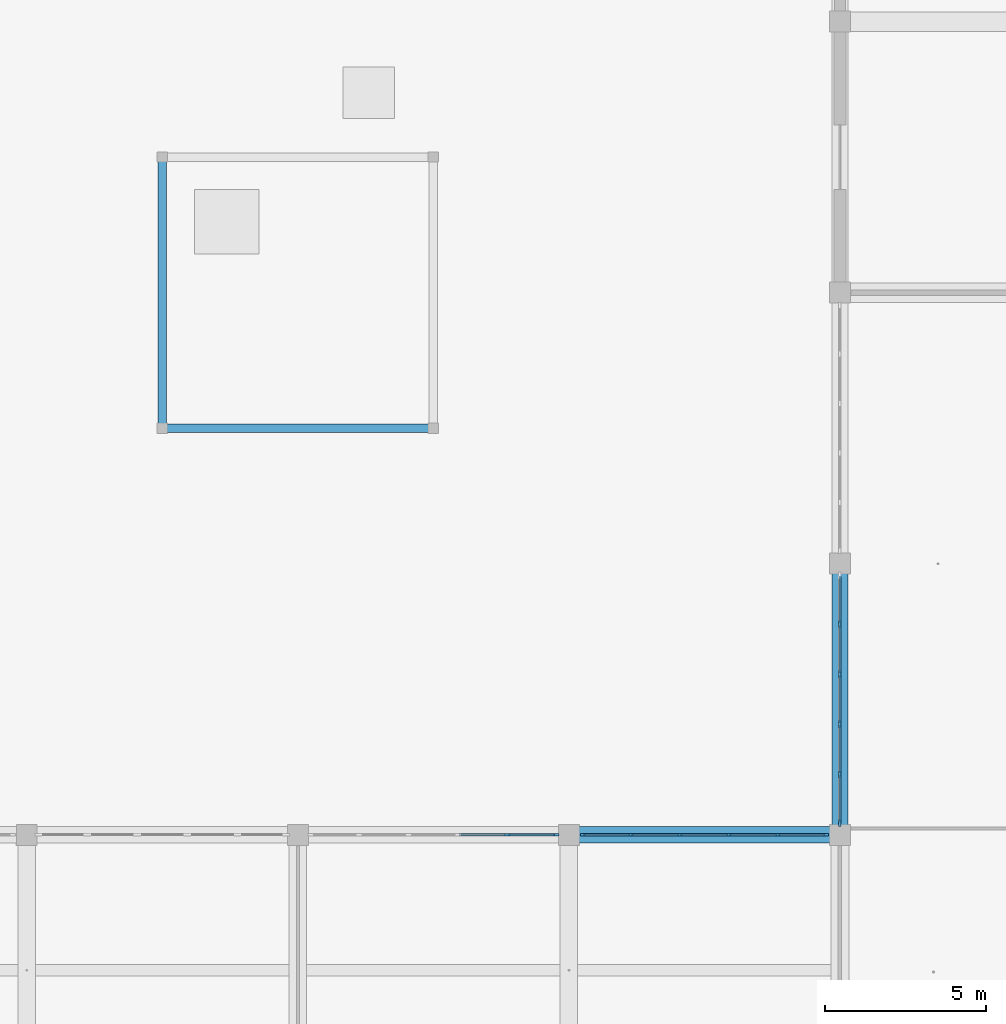
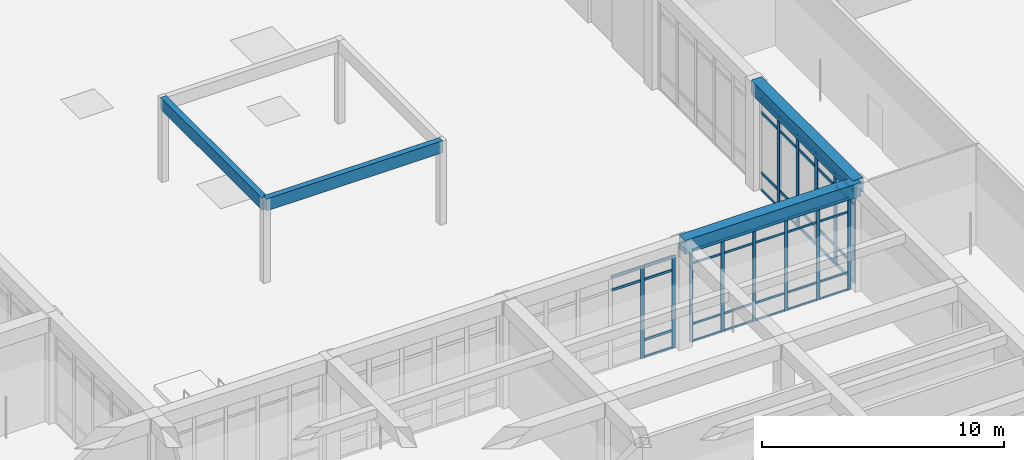
# One storey, part 16 of 167: 59 members, 4 beams, 3 elements without a shape of their own.
"""IFC4 building model written with IfcOpenShell, lengths in metres."""

from ifc_helpers import new_model, si_unit, direction, frame, origin, origin_2d, place, context, subcontext, project, spatial, rectangle, extrude, material, material_profile, profile_set, type_object, element, aggregate, save


model = new_model("IFC4")

# Units and contexts
model_context = context("Model", 3, precision=1e-05, world=origin(), true_north=direction((0.0, 1.0)))
body_context = subcontext(model_context, "Body", "Model", "MODEL_VIEW")
ifc_project = project(units=[si_unit("LENGTHUNIT", "METRE"), si_unit("AREAUNIT", "SQUARE_METRE"), si_unit("VOLUMEUNIT", "CUBIC_METRE"), si_unit("PLANEANGLEUNIT", "RADIAN"), si_unit("MASSUNIT", "GRAM", prefix="KILO")], contexts=[model_context])

# Site, building, storey
site_placement = place(None, origin())
site = spatial("IfcSite", under=ifc_project, at=site_placement, CompositionType="ELEMENT")
building_placement = place(site_placement, origin())
building = spatial("IfcBuilding", under=site, at=building_placement, Name="Varncliffe General Hospital", CompositionType="ELEMENT")
storey_placement = place(building_placement, origin())
storey = spatial("IfcBuildingStorey", under=building, at=storey_placement, Name="L00", CompositionType="ELEMENT", Elevation=0.0)

# Beams
ifc_material_1 = material(Name="Glulam GL28h (CSA O86 24f-EX, 30 MPa)", Category="wood")
ifc_material_profile_1 = material_profile(ifc_material_1, rectangle(XDim=0.264892578125, YDim=0.60791015625, at=origin_2d()), Name="GL 265x608")
ifc_profile_set_1 = profile_set([ifc_material_profile_1], Name="Glulam GL28h (CSA O86 24f-EX, 30 MPa)")
beam_type_1 = type_object("IfcBeamType", Name="Beam B82 (Ext GL 265x608)", PredefinedType="BEAM", material=ifc_profile_set_1)
beam_1_placement = place(storey_placement, frame((37.800048828125, 53.39990234375, 3.89599609375), z_axis=(1.0, 0.0, 0.0), x_axis=(0.0, 1.0, 0.0)))
element("IfcBeam", 1, at=beam_1_placement, inside=storey, type_object=beam_type_1, Name="L00 Cloister Pergola Glulam Beam W1", PredefinedType="BEAM", context=body_context, shape_type="SweptSolid", body=[
    extrude(rectangle(XDim=0.264892578125, YDim=0.60791015625, at=origin_2d()), origin(), (0.0, 0.0, 1.0), 8.39990234375),
])
beam_2_placement = place(storey_placement, frame((37.800048828125, 53.39990234375, 3.89599609375), z_axis=(0.0, 1.0, 0.0), x_axis=(-1.0, 0.0, 0.0)))
element("IfcBeam", 2, at=beam_2_placement, inside=storey, type_object=beam_type_1, Name="L00 Cloister Pergola Glulam Beam W3", PredefinedType="BEAM", context=body_context, shape_type="SweptSolid", body=[
    extrude(rectangle(XDim=0.264892578125, YDim=0.60791015625, at=origin_2d()), origin(), (0.0, 0.0, 1.0), 8.400146484375),
])

# Curtain wall, members
ifc_material_2 = material(Name="Triple low-E argon insulated vision glazing", Category="glass")
curtain_wall_type_1 = type_object("IfcCurtainWallType", Name="Unitised Glazed Curtain Wall CW15 (7674x4640)", PredefinedType="USERDEFINED", material=ifc_material_2)
curtain_wall_1_placement = place(storey_placement, origin())
curtain_wall_1 = element("IfcCurtainWall", 3, at=curtain_wall_1_placement, inside=storey, type_object=curtain_wall_type_1, Name="L00 Glazed Curtain Wall CW15-19", ObjectType="GLAZED CURTAIN WALL", PredefinedType="USERDEFINED")
ifc_material_3 = material(Name="Dark bronze thermally broken aluminium framing", Category="aluminium")
ifc_material_profile_2 = material_profile(ifc_material_3, rectangle(XDim=0.074951171875, YDim=0.179931640625, at=origin_2d()), Name="ALU 75x180")
ifc_profile_set_2 = profile_set([ifc_material_profile_2], Name="Dark bronze thermally broken aluminium framing")
member_type_1 = type_object("IfcMemberType", Name="Curtain Wall Mullion CM44 (ALU 75x180)", PredefinedType="MULLION", material=ifc_profile_set_2)
member_1_placement = place(storey_placement, frame((48.502197265625, 40.800048828125, 0.0), z_axis=(0.0, 0.0, 1.0), x_axis=(0.0, 1.0, 0.0)))
member_1 = element("IfcMember", 4, at=member_1_placement, type_object=member_type_1, Name="CW15 mullion 5", PredefinedType="MULLION", context=body_context, shape_type="SweptSolid", body=[
    extrude(rectangle(XDim=0.074951171875, YDim=0.179931640625, at=origin_2d()), origin(), (0.0, 0.0, 1.0), 4.639892578125),
])
member_2_placement = place(storey_placement, frame((49.99951171875, 40.800048828125, 0.0), z_axis=(0.0, 0.0, 1.0), x_axis=(0.0, 1.0, 0.0)))
member_2 = element("IfcMember", 5, at=member_2_placement, type_object=member_type_1, Name="CW15 mullion 6", PredefinedType="MULLION", context=body_context, shape_type="SweptSolid", body=[
    extrude(rectangle(XDim=0.074951171875, YDim=0.179931640625, at=origin_2d()), origin(), (0.0, 0.0, 1.0), 4.639892578125),
])

curtain_wall_type_2 = type_object("IfcCurtainWallType", Name="Unitised Glazed Curtain Wall CW26 (7594x4640)", PredefinedType="USERDEFINED", material=ifc_material_2)
curtain_wall_2_placement = place(storey_placement, origin())
curtain_wall_2 = element("IfcCurtainWall", 6, at=curtain_wall_2_placement, inside=storey, type_object=curtain_wall_type_2, Name="L00 Glazed Curtain Wall CW26-20", ObjectType="GLAZED CURTAIN WALL", PredefinedType="USERDEFINED")
ifc_material_profile_3 = material_profile(ifc_material_3, rectangle(XDim=0.06494140625, YDim=0.159912109375, at=origin_2d()), Name="ALU 65x160")
ifc_profile_set_3 = profile_set([ifc_material_profile_3], Name="Dark bronze thermally broken aluminium framing")
member_type_2 = type_object("IfcMemberType", Name="Curtain Wall Mullion CM65 (ALU 65x160)", PredefinedType="MULLION", material=ifc_profile_set_3)
member_3_placement = place(storey_placement, frame((50.83544921875, 40.800048828125, 0.0), z_axis=(0.0, 0.0, 1.0), x_axis=(0.0, 1.0, 0.0)))
member_3 = element("IfcMember", 7, at=member_3_placement, type_object=member_type_2, Name="CW26 mullion 1", PredefinedType="MULLION", context=body_context, shape_type="SweptSolid", body=[
    extrude(rectangle(XDim=0.06494140625, YDim=0.159912109375, at=origin_2d()), origin(), (0.0, 0.0, 1.0), 4.639892578125),
])
member_4_placement = place(storey_placement, frame((52.32177734375, 40.800048828125, 0.0), z_axis=(0.0, 0.0, 1.0), x_axis=(0.0, 1.0, 0.0)))
member_4 = element("IfcMember", 8, at=member_4_placement, type_object=member_type_2, Name="CW26 mullion 2", PredefinedType="MULLION", context=body_context, shape_type="SweptSolid", body=[
    extrude(rectangle(XDim=0.06494140625, YDim=0.159912109375, at=origin_2d()), origin(), (0.0, 0.0, 1.0), 4.639892578125),
])
member_5_placement = place(storey_placement, frame((53.840576171875, 40.800048828125, 0.0), z_axis=(0.0, 0.0, 1.0), x_axis=(0.0, 1.0, 0.0)))
member_5 = element("IfcMember", 9, at=member_5_placement, type_object=member_type_2, Name="CW26 mullion 3", PredefinedType="MULLION", context=body_context, shape_type="SweptSolid", body=[
    extrude(rectangle(XDim=0.06494140625, YDim=0.159912109375, at=origin_2d()), origin(), (0.0, 0.0, 1.0), 4.639892578125),
])
member_6_placement = place(storey_placement, frame((55.359375, 40.800048828125, 0.0), z_axis=(0.0, 0.0, 1.0), x_axis=(0.0, 1.0, 0.0)))
member_6 = element("IfcMember", 10, at=member_6_placement, type_object=member_type_2, Name="CW26 mullion 4", PredefinedType="MULLION", context=body_context, shape_type="SweptSolid", body=[
    extrude(rectangle(XDim=0.06494140625, YDim=0.159912109375, at=origin_2d()), origin(), (0.0, 0.0, 1.0), 4.639892578125),
])
member_7_placement = place(storey_placement, frame((56.878173828125, 40.800048828125, 0.0), z_axis=(0.0, 0.0, 1.0), x_axis=(0.0, 1.0, 0.0)))
member_7 = element("IfcMember", 11, at=member_7_placement, type_object=member_type_2, Name="CW26 mullion 5", PredefinedType="MULLION", context=body_context, shape_type="SweptSolid", body=[
    extrude(rectangle(XDim=0.06494140625, YDim=0.159912109375, at=origin_2d()), origin(), (0.0, 0.0, 1.0), 4.639892578125),
])
member_8_placement = place(storey_placement, frame((58.364501953125, 40.800048828125, 0.0), z_axis=(0.0, 0.0, 1.0), x_axis=(0.0, 1.0, 0.0)))
member_8 = element("IfcMember", 12, at=member_8_placement, type_object=member_type_2, Name="CW26 mullion 6", PredefinedType="MULLION", context=body_context, shape_type="SweptSolid", body=[
    extrude(rectangle(XDim=0.06494140625, YDim=0.159912109375, at=origin_2d()), origin(), (0.0, 0.0, 1.0), 4.639892578125),
])

curtain_wall_type_3 = type_object("IfcCurtainWallType", Name="Unitised Glazed Curtain Wall CW66 (7754x4640)", PredefinedType="USERDEFINED", material=ifc_material_2)
curtain_wall_3_placement = place(storey_placement, origin())
curtain_wall_3 = element("IfcCurtainWall", 13, at=curtain_wall_3_placement, inside=storey, type_object=curtain_wall_type_3, Name="L00 Glazed Curtain Wall CW66-21", ObjectType="GLAZED CURTAIN WALL", PredefinedType="USERDEFINED")
ifc_material_profile_4 = material_profile(ifc_material_3, rectangle(XDim=0.074951171875, YDim=0.219970703125, at=origin_2d()), Name="ALU 75x220")
ifc_profile_set_4 = profile_set([ifc_material_profile_4], Name="Dark bronze thermally broken aluminium framing")
member_type_3 = type_object("IfcMemberType", Name="Curtain Wall Mullion CM74 (ALU 75x220)", PredefinedType="MULLION", material=ifc_profile_set_4)
member_9_placement = place(storey_placement, frame((58.800048828125, 41.160400390625, 0.0), z_axis=(0.0, 0.0, 1.0), x_axis=(-1.0, 0.0, 0.0)))
member_9 = element("IfcMember", 14, at=member_9_placement, type_object=member_type_3, Name="CW66 mullion 1", PredefinedType="MULLION", context=body_context, shape_type="SweptSolid", body=[
    extrude(rectangle(XDim=0.074951171875, YDim=0.219970703125, at=origin_2d()), origin(), (0.0, 0.0, 1.0), 4.639892578125),
])
member_10_placement = place(storey_placement, frame((58.800048828125, 42.673828125, 0.0), z_axis=(0.0, 0.0, 1.0), x_axis=(-1.0, 0.0, 0.0)))
member_10 = element("IfcMember", 15, at=member_10_placement, type_object=member_type_3, Name="CW66 mullion 2", PredefinedType="MULLION", context=body_context, shape_type="SweptSolid", body=[
    extrude(rectangle(XDim=0.074951171875, YDim=0.219970703125, at=origin_2d()), origin(), (0.0, 0.0, 1.0), 4.639892578125),
])
member_11_placement = place(storey_placement, frame((58.800048828125, 44.224609375, 0.0), z_axis=(0.0, 0.0, 1.0), x_axis=(-1.0, 0.0, 0.0)))
member_11 = element("IfcMember", 16, at=member_11_placement, type_object=member_type_3, Name="CW66 mullion 3", PredefinedType="MULLION", context=body_context, shape_type="SweptSolid", body=[
    extrude(rectangle(XDim=0.074951171875, YDim=0.219970703125, at=origin_2d()), origin(), (0.0, 0.0, 1.0), 4.639892578125),
])
member_12_placement = place(storey_placement, frame((58.800048828125, 45.775390625, 0.0), z_axis=(0.0, 0.0, 1.0), x_axis=(-1.0, 0.0, 0.0)))
member_12 = element("IfcMember", 17, at=member_12_placement, type_object=member_type_3, Name="CW66 mullion 4", PredefinedType="MULLION", context=body_context, shape_type="SweptSolid", body=[
    extrude(rectangle(XDim=0.074951171875, YDim=0.219970703125, at=origin_2d()), origin(), (0.0, 0.0, 1.0), 4.639892578125),
])
member_13_placement = place(storey_placement, frame((58.800048828125, 47.326171875, 0.0), z_axis=(0.0, 0.0, 1.0), x_axis=(-1.0, 0.0, 0.0)))
member_13 = element("IfcMember", 18, at=member_13_placement, type_object=member_type_3, Name="CW66 mullion 5", PredefinedType="MULLION", context=body_context, shape_type="SweptSolid", body=[
    extrude(rectangle(XDim=0.074951171875, YDim=0.219970703125, at=origin_2d()), origin(), (0.0, 0.0, 1.0), 4.639892578125),
])

# Member
ifc_material_profile_5 = material_profile(ifc_material_3, rectangle(XDim=0.06005859375, YDim=0.1201171875, at=origin_2d()), Name="ALU 60x120")
ifc_profile_set_5 = profile_set([ifc_material_profile_5], Name="Dark bronze thermally broken aluminium framing")
member_type_4 = type_object("IfcMemberType", Name="Curtain Wall Transom CT14 (ALU 60x120)", PredefinedType="USERDEFINED", material=ifc_profile_set_5)
member_14_placement = place(storey_placement, frame((47.0048828125, 40.800048828125, 3.93994140625), z_axis=(1.0, 0.0, 0.0), x_axis=(0.0, 1.0, 0.0)))
member_14 = element("IfcMember", 19, at=member_14_placement, type_object=member_type_4, Name="CW15 transom 4.3", ObjectType="TRANSOM", PredefinedType="USERDEFINED", context=body_context, shape_type="SweptSolid", body=[
    extrude(rectangle(XDim=0.06005859375, YDim=0.1201171875, at=origin_2d()), origin(), (0.0, 0.0, 1.0), 1.459716796875),
])

member_15_placement = place(storey_placement, frame((47.0048828125, 40.800048828125, 4.610107421875), z_axis=(1.0, 0.0, 0.0), x_axis=(0.0, 1.0, 0.0)))
member_15 = element("IfcMember", 20, at=member_15_placement, type_object=member_type_4, Name="CW15 transom 4.4", ObjectType="TRANSOM", PredefinedType="USERDEFINED", context=body_context, shape_type="SweptSolid", body=[
    extrude(rectangle(XDim=0.06005859375, YDim=0.1201171875, at=origin_2d()), origin(), (0.0, 0.0, 1.0), 1.459716796875),
])

member_16_placement = place(storey_placement, frame((48.539794921875, 40.800048828125, 0.030029296875), z_axis=(1.0, 0.0, 0.0), x_axis=(0.0, 1.0, 0.0)))
member_16 = element("IfcMember", 21, at=member_16_placement, type_object=member_type_4, Name="CW15 transom 5.1", ObjectType="TRANSOM", PredefinedType="USERDEFINED", context=body_context, shape_type="SweptSolid", body=[
    extrude(rectangle(XDim=0.06005859375, YDim=0.1201171875, at=origin_2d()), origin(), (0.0, 0.0, 1.0), 1.422119140625),
])

member_17_placement = place(storey_placement, frame((48.539794921875, 40.800048828125, 0.89990234375), z_axis=(1.0, 0.0, 0.0), x_axis=(0.0, 1.0, 0.0)))
member_17 = element("IfcMember", 22, at=member_17_placement, type_object=member_type_4, Name="CW15 transom 5.2", ObjectType="TRANSOM", PredefinedType="USERDEFINED", context=body_context, shape_type="SweptSolid", body=[
    extrude(rectangle(XDim=0.06005859375, YDim=0.1201171875, at=origin_2d()), origin(), (0.0, 0.0, 1.0), 1.422119140625),
])

member_18_placement = place(storey_placement, frame((48.539794921875, 40.800048828125, 3.93994140625), z_axis=(1.0, 0.0, 0.0), x_axis=(0.0, 1.0, 0.0)))
member_18 = element("IfcMember", 23, at=member_18_placement, type_object=member_type_4, Name="CW15 transom 5.3", ObjectType="TRANSOM", PredefinedType="USERDEFINED", context=body_context, shape_type="SweptSolid", body=[
    extrude(rectangle(XDim=0.06005859375, YDim=0.1201171875, at=origin_2d()), origin(), (0.0, 0.0, 1.0), 1.422119140625),
])

member_19_placement = place(storey_placement, frame((48.539794921875, 40.800048828125, 4.610107421875), z_axis=(1.0, 0.0, 0.0), x_axis=(0.0, 1.0, 0.0)))
member_19 = element("IfcMember", 24, at=member_19_placement, type_object=member_type_4, Name="CW15 transom 5.4", ObjectType="TRANSOM", PredefinedType="USERDEFINED", context=body_context, shape_type="SweptSolid", body=[
    extrude(rectangle(XDim=0.06005859375, YDim=0.1201171875, at=origin_2d()), origin(), (0.0, 0.0, 1.0), 1.422119140625),
])

aggregate(curtain_wall_1, [member_1, member_2, member_14, member_15, member_16, member_17, member_18, member_19])

ifc_material_profile_6 = material_profile(ifc_material_3, rectangle(XDim=0.06005859375, YDim=0.10009765625, at=origin_2d()), Name="ALU 60x100")
ifc_profile_set_6 = profile_set([ifc_material_profile_6], Name="Dark bronze thermally broken aluminium framing")
member_type_5 = type_object("IfcMemberType", Name="Curtain Wall Transom CT18 (ALU 60x100)", PredefinedType="USERDEFINED", material=ifc_profile_set_6)
member_20_placement = place(storey_placement, frame((50.867919921875, 40.800048828125, 0.030029296875), z_axis=(1.0, 0.0, 0.0), x_axis=(0.0, 1.0, 0.0)))
member_20 = element("IfcMember", 25, at=member_20_placement, type_object=member_type_5, Name="CW26 transom 1.1", ObjectType="TRANSOM", PredefinedType="USERDEFINED", context=body_context, shape_type="SweptSolid", body=[
    extrude(rectangle(XDim=0.06005859375, YDim=0.10009765625, at=origin_2d()), origin(), (0.0, 0.0, 1.0), 1.42138671875),
])

member_21_placement = place(storey_placement, frame((50.867919921875, 40.800048828125, 0.89990234375), z_axis=(1.0, 0.0, 0.0), x_axis=(0.0, 1.0, 0.0)))
member_21 = element("IfcMember", 26, at=member_21_placement, type_object=member_type_5, Name="CW26 transom 1.2", ObjectType="TRANSOM", PredefinedType="USERDEFINED", context=body_context, shape_type="SweptSolid", body=[
    extrude(rectangle(XDim=0.06005859375, YDim=0.10009765625, at=origin_2d()), origin(), (0.0, 0.0, 1.0), 1.42138671875),
])

member_22_placement = place(storey_placement, frame((50.867919921875, 40.800048828125, 3.93994140625), z_axis=(1.0, 0.0, 0.0), x_axis=(0.0, 1.0, 0.0)))
member_22 = element("IfcMember", 27, at=member_22_placement, type_object=member_type_5, Name="CW26 transom 1.3", ObjectType="TRANSOM", PredefinedType="USERDEFINED", context=body_context, shape_type="SweptSolid", body=[
    extrude(rectangle(XDim=0.06005859375, YDim=0.10009765625, at=origin_2d()), origin(), (0.0, 0.0, 1.0), 1.42138671875),
])

member_23_placement = place(storey_placement, frame((50.867919921875, 40.800048828125, 4.610107421875), z_axis=(1.0, 0.0, 0.0), x_axis=(0.0, 1.0, 0.0)))
member_23 = element("IfcMember", 28, at=member_23_placement, type_object=member_type_5, Name="CW26 transom 1.4", ObjectType="TRANSOM", PredefinedType="USERDEFINED", context=body_context, shape_type="SweptSolid", body=[
    extrude(rectangle(XDim=0.06005859375, YDim=0.10009765625, at=origin_2d()), origin(), (0.0, 0.0, 1.0), 1.42138671875),
])

member_24_placement = place(storey_placement, frame((52.354248046875, 40.800048828125, 0.030029296875), z_axis=(1.0, 0.0, 0.0), x_axis=(0.0, 1.0, 0.0)))
member_24 = element("IfcMember", 29, at=member_24_placement, type_object=member_type_5, Name="CW26 transom 2.1", ObjectType="TRANSOM", PredefinedType="USERDEFINED", context=body_context, shape_type="SweptSolid", body=[
    extrude(rectangle(XDim=0.06005859375, YDim=0.10009765625, at=origin_2d()), origin(), (0.0, 0.0, 1.0), 1.453857421875),
])

member_25_placement = place(storey_placement, frame((52.354248046875, 40.800048828125, 0.89990234375), z_axis=(1.0, 0.0, 0.0), x_axis=(0.0, 1.0, 0.0)))
member_25 = element("IfcMember", 30, at=member_25_placement, type_object=member_type_5, Name="CW26 transom 2.2", ObjectType="TRANSOM", PredefinedType="USERDEFINED", context=body_context, shape_type="SweptSolid", body=[
    extrude(rectangle(XDim=0.06005859375, YDim=0.10009765625, at=origin_2d()), origin(), (0.0, 0.0, 1.0), 1.453857421875),
])

member_26_placement = place(storey_placement, frame((52.354248046875, 40.800048828125, 3.93994140625), z_axis=(1.0, 0.0, 0.0), x_axis=(0.0, 1.0, 0.0)))
member_26 = element("IfcMember", 31, at=member_26_placement, type_object=member_type_5, Name="CW26 transom 2.3", ObjectType="TRANSOM", PredefinedType="USERDEFINED", context=body_context, shape_type="SweptSolid", body=[
    extrude(rectangle(XDim=0.06005859375, YDim=0.10009765625, at=origin_2d()), origin(), (0.0, 0.0, 1.0), 1.453857421875),
])

member_27_placement = place(storey_placement, frame((52.354248046875, 40.800048828125, 4.610107421875), z_axis=(1.0, 0.0, 0.0), x_axis=(0.0, 1.0, 0.0)))
member_27 = element("IfcMember", 32, at=member_27_placement, type_object=member_type_5, Name="CW26 transom 2.4", ObjectType="TRANSOM", PredefinedType="USERDEFINED", context=body_context, shape_type="SweptSolid", body=[
    extrude(rectangle(XDim=0.06005859375, YDim=0.10009765625, at=origin_2d()), origin(), (0.0, 0.0, 1.0), 1.453857421875),
])

member_28_placement = place(storey_placement, frame((53.873046875, 40.800048828125, 0.030029296875), z_axis=(1.0, 0.0, 0.0), x_axis=(0.0, 1.0, 0.0)))
member_28 = element("IfcMember", 33, at=member_28_placement, type_object=member_type_5, Name="CW26 transom 3.1", ObjectType="TRANSOM", PredefinedType="USERDEFINED", context=body_context, shape_type="SweptSolid", body=[
    extrude(rectangle(XDim=0.06005859375, YDim=0.10009765625, at=origin_2d()), origin(), (0.0, 0.0, 1.0), 1.453857421875),
])

member_29_placement = place(storey_placement, frame((53.873046875, 40.800048828125, 0.89990234375), z_axis=(1.0, 0.0, 0.0), x_axis=(0.0, 1.0, 0.0)))
member_29 = element("IfcMember", 34, at=member_29_placement, type_object=member_type_5, Name="CW26 transom 3.2", ObjectType="TRANSOM", PredefinedType="USERDEFINED", context=body_context, shape_type="SweptSolid", body=[
    extrude(rectangle(XDim=0.06005859375, YDim=0.10009765625, at=origin_2d()), origin(), (0.0, 0.0, 1.0), 1.453857421875),
])

member_30_placement = place(storey_placement, frame((53.873046875, 40.800048828125, 3.93994140625), z_axis=(1.0, 0.0, 0.0), x_axis=(0.0, 1.0, 0.0)))
member_30 = element("IfcMember", 35, at=member_30_placement, type_object=member_type_5, Name="CW26 transom 3.3", ObjectType="TRANSOM", PredefinedType="USERDEFINED", context=body_context, shape_type="SweptSolid", body=[
    extrude(rectangle(XDim=0.06005859375, YDim=0.10009765625, at=origin_2d()), origin(), (0.0, 0.0, 1.0), 1.453857421875),
])

member_31_placement = place(storey_placement, frame((53.873046875, 40.800048828125, 4.610107421875), z_axis=(1.0, 0.0, 0.0), x_axis=(0.0, 1.0, 0.0)))
member_31 = element("IfcMember", 36, at=member_31_placement, type_object=member_type_5, Name="CW26 transom 3.4", ObjectType="TRANSOM", PredefinedType="USERDEFINED", context=body_context, shape_type="SweptSolid", body=[
    extrude(rectangle(XDim=0.06005859375, YDim=0.10009765625, at=origin_2d()), origin(), (0.0, 0.0, 1.0), 1.453857421875),
])

member_32_placement = place(storey_placement, frame((55.391845703125, 40.800048828125, 0.030029296875), z_axis=(1.0, 0.0, 0.0), x_axis=(0.0, 1.0, 0.0)))
member_32 = element("IfcMember", 37, at=member_32_placement, type_object=member_type_5, Name="CW26 transom 4.1", ObjectType="TRANSOM", PredefinedType="USERDEFINED", context=body_context, shape_type="SweptSolid", body=[
    extrude(rectangle(XDim=0.06005859375, YDim=0.10009765625, at=origin_2d()), origin(), (0.0, 0.0, 1.0), 1.453857421875),
])

member_33_placement = place(storey_placement, frame((55.391845703125, 40.800048828125, 0.89990234375), z_axis=(1.0, 0.0, 0.0), x_axis=(0.0, 1.0, 0.0)))
member_33 = element("IfcMember", 38, at=member_33_placement, type_object=member_type_5, Name="CW26 transom 4.2", ObjectType="TRANSOM", PredefinedType="USERDEFINED", context=body_context, shape_type="SweptSolid", body=[
    extrude(rectangle(XDim=0.06005859375, YDim=0.10009765625, at=origin_2d()), origin(), (0.0, 0.0, 1.0), 1.453857421875),
])

member_34_placement = place(storey_placement, frame((55.391845703125, 40.800048828125, 3.93994140625), z_axis=(1.0, 0.0, 0.0), x_axis=(0.0, 1.0, 0.0)))
member_34 = element("IfcMember", 39, at=member_34_placement, type_object=member_type_5, Name="CW26 transom 4.3", ObjectType="TRANSOM", PredefinedType="USERDEFINED", context=body_context, shape_type="SweptSolid", body=[
    extrude(rectangle(XDim=0.06005859375, YDim=0.10009765625, at=origin_2d()), origin(), (0.0, 0.0, 1.0), 1.453857421875),
])

member_35_placement = place(storey_placement, frame((55.391845703125, 40.800048828125, 4.610107421875), z_axis=(1.0, 0.0, 0.0), x_axis=(0.0, 1.0, 0.0)))
member_35 = element("IfcMember", 40, at=member_35_placement, type_object=member_type_5, Name="CW26 transom 4.4", ObjectType="TRANSOM", PredefinedType="USERDEFINED", context=body_context, shape_type="SweptSolid", body=[
    extrude(rectangle(XDim=0.06005859375, YDim=0.10009765625, at=origin_2d()), origin(), (0.0, 0.0, 1.0), 1.453857421875),
])

member_36_placement = place(storey_placement, frame((56.91064453125, 40.800048828125, 0.030029296875), z_axis=(1.0, 0.0, 0.0), x_axis=(0.0, 1.0, 0.0)))
member_36 = element("IfcMember", 41, at=member_36_placement, type_object=member_type_5, Name="CW26 transom 5.1", ObjectType="TRANSOM", PredefinedType="USERDEFINED", context=body_context, shape_type="SweptSolid", body=[
    extrude(rectangle(XDim=0.06005859375, YDim=0.10009765625, at=origin_2d()), origin(), (0.0, 0.0, 1.0), 1.42138671875),
])

member_37_placement = place(storey_placement, frame((56.91064453125, 40.800048828125, 0.89990234375), z_axis=(1.0, 0.0, 0.0), x_axis=(0.0, 1.0, 0.0)))
member_37 = element("IfcMember", 42, at=member_37_placement, type_object=member_type_5, Name="CW26 transom 5.2", ObjectType="TRANSOM", PredefinedType="USERDEFINED", context=body_context, shape_type="SweptSolid", body=[
    extrude(rectangle(XDim=0.06005859375, YDim=0.10009765625, at=origin_2d()), origin(), (0.0, 0.0, 1.0), 1.42138671875),
])

member_38_placement = place(storey_placement, frame((56.91064453125, 40.800048828125, 3.93994140625), z_axis=(1.0, 0.0, 0.0), x_axis=(0.0, 1.0, 0.0)))
member_38 = element("IfcMember", 43, at=member_38_placement, type_object=member_type_5, Name="CW26 transom 5.3", ObjectType="TRANSOM", PredefinedType="USERDEFINED", context=body_context, shape_type="SweptSolid", body=[
    extrude(rectangle(XDim=0.06005859375, YDim=0.10009765625, at=origin_2d()), origin(), (0.0, 0.0, 1.0), 1.42138671875),
])

member_39_placement = place(storey_placement, frame((56.91064453125, 40.800048828125, 4.610107421875), z_axis=(1.0, 0.0, 0.0), x_axis=(0.0, 1.0, 0.0)))
member_39 = element("IfcMember", 44, at=member_39_placement, type_object=member_type_5, Name="CW26 transom 5.4", ObjectType="TRANSOM", PredefinedType="USERDEFINED", context=body_context, shape_type="SweptSolid", body=[
    extrude(rectangle(XDim=0.06005859375, YDim=0.10009765625, at=origin_2d()), origin(), (0.0, 0.0, 1.0), 1.42138671875),
])

aggregate(curtain_wall_2, [member_3, member_4, member_5, member_6, member_7, member_8, member_20, member_21, member_22, member_23, member_24, member_25, member_26, member_27, member_28, member_29, member_30, member_31, member_32, member_33, member_34, member_35, member_36, member_37, member_38, member_39])

ifc_material_profile_7 = material_profile(ifc_material_3, rectangle(XDim=0.06494140625, YDim=0.139892578125, at=origin_2d()), Name="ALU 65x140")
ifc_profile_set_7 = profile_set([ifc_material_profile_7], Name="Dark bronze thermally broken aluminium framing")
member_type_6 = type_object("IfcMemberType", Name="Curtain Wall Transom CT69 (ALU 65x140)", PredefinedType="USERDEFINED", material=ifc_profile_set_7)
member_40_placement = place(storey_placement, frame((58.800048828125, 41.197998046875, 0.032470703125), z_axis=(0.0, 1.0, 0.0), x_axis=(-1.0, 0.0, 0.0)))
member_40 = element("IfcMember", 45, at=member_40_placement, type_object=member_type_6, Name="CW66 transom 1.1", ObjectType="TRANSOM", PredefinedType="USERDEFINED", context=body_context, shape_type="SweptSolid", body=[
    extrude(rectangle(XDim=0.06494140625, YDim=0.139892578125, at=origin_2d()), origin(), (0.0, 0.0, 1.0), 1.438232421875),
])

member_41_placement = place(storey_placement, frame((58.800048828125, 41.197998046875, 0.89990234375), z_axis=(0.0, 1.0, 0.0), x_axis=(-1.0, 0.0, 0.0)))
member_41 = element("IfcMember", 46, at=member_41_placement, type_object=member_type_6, Name="CW66 transom 1.2", ObjectType="TRANSOM", PredefinedType="USERDEFINED", context=body_context, shape_type="SweptSolid", body=[
    extrude(rectangle(XDim=0.06494140625, YDim=0.139892578125, at=origin_2d()), origin(), (0.0, 0.0, 1.0), 1.438232421875),
])

member_42_placement = place(storey_placement, frame((58.800048828125, 41.197998046875, 3.93994140625), z_axis=(0.0, 1.0, 0.0), x_axis=(-1.0, 0.0, 0.0)))
member_42 = element("IfcMember", 47, at=member_42_placement, type_object=member_type_6, Name="CW66 transom 1.3", ObjectType="TRANSOM", PredefinedType="USERDEFINED", context=body_context, shape_type="SweptSolid", body=[
    extrude(rectangle(XDim=0.06494140625, YDim=0.139892578125, at=origin_2d()), origin(), (0.0, 0.0, 1.0), 1.438232421875),
])

member_43_placement = place(storey_placement, frame((58.800048828125, 41.197998046875, 4.607421875), z_axis=(0.0, 1.0, 0.0), x_axis=(-1.0, 0.0, 0.0)))
member_43 = element("IfcMember", 48, at=member_43_placement, type_object=member_type_6, Name="CW66 transom 1.4", ObjectType="TRANSOM", PredefinedType="USERDEFINED", context=body_context, shape_type="SweptSolid", body=[
    extrude(rectangle(XDim=0.06494140625, YDim=0.139892578125, at=origin_2d()), origin(), (0.0, 0.0, 1.0), 1.438232421875),
])

member_44_placement = place(storey_placement, frame((58.800048828125, 42.711181640625, 0.032470703125), z_axis=(0.0, 1.0, 0.0), x_axis=(-1.0, 0.0, 0.0)))
member_44 = element("IfcMember", 49, at=member_44_placement, type_object=member_type_6, Name="CW66 transom 2.1", ObjectType="TRANSOM", PredefinedType="USERDEFINED", context=body_context, shape_type="SweptSolid", body=[
    extrude(rectangle(XDim=0.06494140625, YDim=0.139892578125, at=origin_2d()), origin(), (0.0, 0.0, 1.0), 1.475830078125),
])

member_45_placement = place(storey_placement, frame((58.800048828125, 42.711181640625, 0.89990234375), z_axis=(0.0, 1.0, 0.0), x_axis=(-1.0, 0.0, 0.0)))
member_45 = element("IfcMember", 50, at=member_45_placement, type_object=member_type_6, Name="CW66 transom 2.2", ObjectType="TRANSOM", PredefinedType="USERDEFINED", context=body_context, shape_type="SweptSolid", body=[
    extrude(rectangle(XDim=0.06494140625, YDim=0.139892578125, at=origin_2d()), origin(), (0.0, 0.0, 1.0), 1.475830078125),
])

member_46_placement = place(storey_placement, frame((58.800048828125, 42.711181640625, 3.93994140625), z_axis=(0.0, 1.0, 0.0), x_axis=(-1.0, 0.0, 0.0)))
member_46 = element("IfcMember", 51, at=member_46_placement, type_object=member_type_6, Name="CW66 transom 2.3", ObjectType="TRANSOM", PredefinedType="USERDEFINED", context=body_context, shape_type="SweptSolid", body=[
    extrude(rectangle(XDim=0.06494140625, YDim=0.139892578125, at=origin_2d()), origin(), (0.0, 0.0, 1.0), 1.475830078125),
])

member_47_placement = place(storey_placement, frame((58.800048828125, 42.711181640625, 4.607421875), z_axis=(0.0, 1.0, 0.0), x_axis=(-1.0, 0.0, 0.0)))
member_47 = element("IfcMember", 52, at=member_47_placement, type_object=member_type_6, Name="CW66 transom 2.4", ObjectType="TRANSOM", PredefinedType="USERDEFINED", context=body_context, shape_type="SweptSolid", body=[
    extrude(rectangle(XDim=0.06494140625, YDim=0.139892578125, at=origin_2d()), origin(), (0.0, 0.0, 1.0), 1.475830078125),
])

member_48_placement = place(storey_placement, frame((58.800048828125, 44.26220703125, 0.032470703125), z_axis=(0.0, 1.0, 0.0), x_axis=(-1.0, 0.0, 0.0)))
member_48 = element("IfcMember", 53, at=member_48_placement, type_object=member_type_6, Name="CW66 transom 3.1", ObjectType="TRANSOM", PredefinedType="USERDEFINED", context=body_context, shape_type="SweptSolid", body=[
    extrude(rectangle(XDim=0.06494140625, YDim=0.139892578125, at=origin_2d()), origin(), (0.0, 0.0, 1.0), 1.4755859375),
])

member_49_placement = place(storey_placement, frame((58.800048828125, 44.26220703125, 0.89990234375), z_axis=(0.0, 1.0, 0.0), x_axis=(-1.0, 0.0, 0.0)))
member_49 = element("IfcMember", 54, at=member_49_placement, type_object=member_type_6, Name="CW66 transom 3.2", ObjectType="TRANSOM", PredefinedType="USERDEFINED", context=body_context, shape_type="SweptSolid", body=[
    extrude(rectangle(XDim=0.06494140625, YDim=0.139892578125, at=origin_2d()), origin(), (0.0, 0.0, 1.0), 1.4755859375),
])

member_50_placement = place(storey_placement, frame((58.800048828125, 44.26220703125, 3.93994140625), z_axis=(0.0, 1.0, 0.0), x_axis=(-1.0, 0.0, 0.0)))
member_50 = element("IfcMember", 55, at=member_50_placement, type_object=member_type_6, Name="CW66 transom 3.3", ObjectType="TRANSOM", PredefinedType="USERDEFINED", context=body_context, shape_type="SweptSolid", body=[
    extrude(rectangle(XDim=0.06494140625, YDim=0.139892578125, at=origin_2d()), origin(), (0.0, 0.0, 1.0), 1.4755859375),
])

member_51_placement = place(storey_placement, frame((58.800048828125, 44.26220703125, 4.607421875), z_axis=(0.0, 1.0, 0.0), x_axis=(-1.0, 0.0, 0.0)))
member_51 = element("IfcMember", 56, at=member_51_placement, type_object=member_type_6, Name="CW66 transom 3.4", ObjectType="TRANSOM", PredefinedType="USERDEFINED", context=body_context, shape_type="SweptSolid", body=[
    extrude(rectangle(XDim=0.06494140625, YDim=0.139892578125, at=origin_2d()), origin(), (0.0, 0.0, 1.0), 1.4755859375),
])

member_52_placement = place(storey_placement, frame((58.800048828125, 45.81298828125, 0.032470703125), z_axis=(0.0, 1.0, 0.0), x_axis=(-1.0, 0.0, 0.0)))
member_52 = element("IfcMember", 57, at=member_52_placement, type_object=member_type_6, Name="CW66 transom 4.1", ObjectType="TRANSOM", PredefinedType="USERDEFINED", context=body_context, shape_type="SweptSolid", body=[
    extrude(rectangle(XDim=0.06494140625, YDim=0.139892578125, at=origin_2d()), origin(), (0.0, 0.0, 1.0), 1.475830078125),
])

member_53_placement = place(storey_placement, frame((58.800048828125, 45.81298828125, 0.89990234375), z_axis=(0.0, 1.0, 0.0), x_axis=(-1.0, 0.0, 0.0)))
member_53 = element("IfcMember", 58, at=member_53_placement, type_object=member_type_6, Name="CW66 transom 4.2", ObjectType="TRANSOM", PredefinedType="USERDEFINED", context=body_context, shape_type="SweptSolid", body=[
    extrude(rectangle(XDim=0.06494140625, YDim=0.139892578125, at=origin_2d()), origin(), (0.0, 0.0, 1.0), 1.475830078125),
])

member_54_placement = place(storey_placement, frame((58.800048828125, 45.81298828125, 3.93994140625), z_axis=(0.0, 1.0, 0.0), x_axis=(-1.0, 0.0, 0.0)))
member_54 = element("IfcMember", 59, at=member_54_placement, type_object=member_type_6, Name="CW66 transom 4.3", ObjectType="TRANSOM", PredefinedType="USERDEFINED", context=body_context, shape_type="SweptSolid", body=[
    extrude(rectangle(XDim=0.06494140625, YDim=0.139892578125, at=origin_2d()), origin(), (0.0, 0.0, 1.0), 1.475830078125),
])

member_55_placement = place(storey_placement, frame((58.800048828125, 45.81298828125, 4.607421875), z_axis=(0.0, 1.0, 0.0), x_axis=(-1.0, 0.0, 0.0)))
member_55 = element("IfcMember", 60, at=member_55_placement, type_object=member_type_6, Name="CW66 transom 4.4", ObjectType="TRANSOM", PredefinedType="USERDEFINED", context=body_context, shape_type="SweptSolid", body=[
    extrude(rectangle(XDim=0.06494140625, YDim=0.139892578125, at=origin_2d()), origin(), (0.0, 0.0, 1.0), 1.475830078125),
])

member_56_placement = place(storey_placement, frame((58.800048828125, 47.36376953125, 0.032470703125), z_axis=(0.0, 1.0, 0.0), x_axis=(-1.0, 0.0, 0.0)))
member_56 = element("IfcMember", 61, at=member_56_placement, type_object=member_type_6, Name="CW66 transom 5.1", ObjectType="TRANSOM", PredefinedType="USERDEFINED", context=body_context, shape_type="SweptSolid", body=[
    extrude(rectangle(XDim=0.06494140625, YDim=0.139892578125, at=origin_2d()), origin(), (0.0, 0.0, 1.0), 1.438232421875),
])

member_57_placement = place(storey_placement, frame((58.800048828125, 47.36376953125, 0.89990234375), z_axis=(0.0, 1.0, 0.0), x_axis=(-1.0, 0.0, 0.0)))
member_57 = element("IfcMember", 62, at=member_57_placement, type_object=member_type_6, Name="CW66 transom 5.2", ObjectType="TRANSOM", PredefinedType="USERDEFINED", context=body_context, shape_type="SweptSolid", body=[
    extrude(rectangle(XDim=0.06494140625, YDim=0.139892578125, at=origin_2d()), origin(), (0.0, 0.0, 1.0), 1.438232421875),
])

member_58_placement = place(storey_placement, frame((58.800048828125, 47.36376953125, 3.93994140625), z_axis=(0.0, 1.0, 0.0), x_axis=(-1.0, 0.0, 0.0)))
member_58 = element("IfcMember", 63, at=member_58_placement, type_object=member_type_6, Name="CW66 transom 5.3", ObjectType="TRANSOM", PredefinedType="USERDEFINED", context=body_context, shape_type="SweptSolid", body=[
    extrude(rectangle(XDim=0.06494140625, YDim=0.139892578125, at=origin_2d()), origin(), (0.0, 0.0, 1.0), 1.438232421875),
])

member_59_placement = place(storey_placement, frame((58.800048828125, 47.36376953125, 4.607421875), z_axis=(0.0, 1.0, 0.0), x_axis=(-1.0, 0.0, 0.0)))
member_59 = element("IfcMember", 64, at=member_59_placement, type_object=member_type_6, Name="CW66 transom 5.4", ObjectType="TRANSOM", PredefinedType="USERDEFINED", context=body_context, shape_type="SweptSolid", body=[
    extrude(rectangle(XDim=0.06494140625, YDim=0.139892578125, at=origin_2d()), origin(), (0.0, 0.0, 1.0), 1.438232421875),
])

aggregate(curtain_wall_3, [member_9, member_10, member_11, member_12, member_13, member_40, member_41, member_42, member_43, member_44, member_45, member_46, member_47, member_48, member_49, member_50, member_51, member_52, member_53, member_54, member_55, member_56, member_57, member_58, member_59])

# Beams
ifc_material_4 = material(Name="Concrete C35/45 (CSA A23.1 35 MPa)", Category="concrete")
ifc_material_profile_8 = material_profile(ifc_material_4, rectangle(XDim=0.5, YDim=0.699951171875, at=origin_2d()), Name="RC 500x700")
ifc_profile_set_8 = profile_set([ifc_material_profile_8], Name="Concrete C35/45 (CSA A23.1 35 MPa)")
beam_type_2 = type_object("IfcBeamType", Name="Spandrel SP19 (Ext RC 500x700)", PredefinedType="SPANDREL", material=ifc_profile_set_8)
beam_3_placement = place(storey_placement, frame((50.39990234375, 40.800048828125, 5.050048828125), z_axis=(1.0, 0.0, 0.0), x_axis=(0.0, 1.0, 0.0)))
element("IfcBeam", 65, at=beam_3_placement, inside=storey, type_object=beam_type_2, Name="L00 Spandrel Beam SP19-59", PredefinedType="SPANDREL", context=body_context, shape_type="SweptSolid", body=[
    extrude(rectangle(XDim=0.5, YDim=0.699951171875, at=origin_2d()), origin(), (0.0, 0.0, 1.0), 8.400146484375),
])
beam_4_placement = place(storey_placement, frame((58.800048828125, 40.800048828125, 5.050048828125), z_axis=(0.0, 1.0, 0.0), x_axis=(-1.0, 0.0, 0.0)))
element("IfcBeam", 66, at=beam_4_placement, inside=storey, type_object=beam_type_2, Name="L00 Spandrel Beam SP19-356", PredefinedType="SPANDREL", context=body_context, shape_type="SweptSolid", body=[
    extrude(rectangle(XDim=0.5, YDim=0.699951171875, at=origin_2d()), origin(), (0.0, 0.0, 1.0), 8.39990234375),
])

save(model, "model.ifc")
